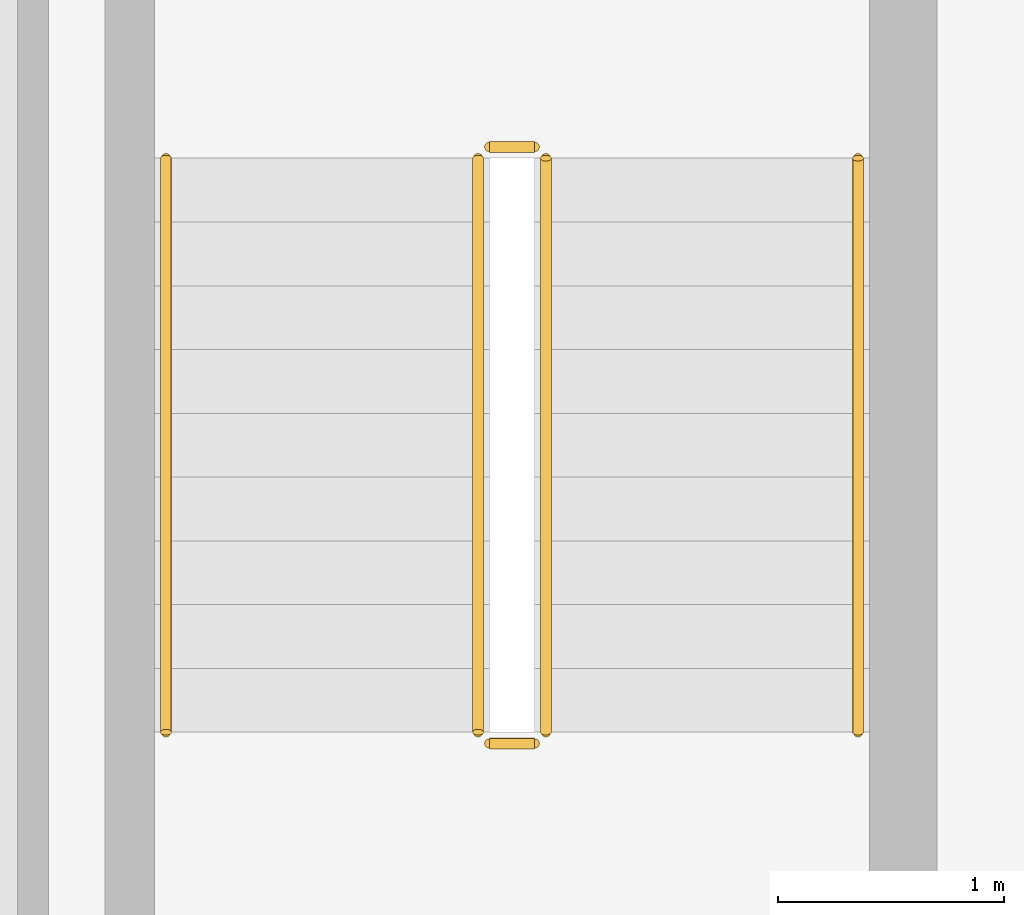
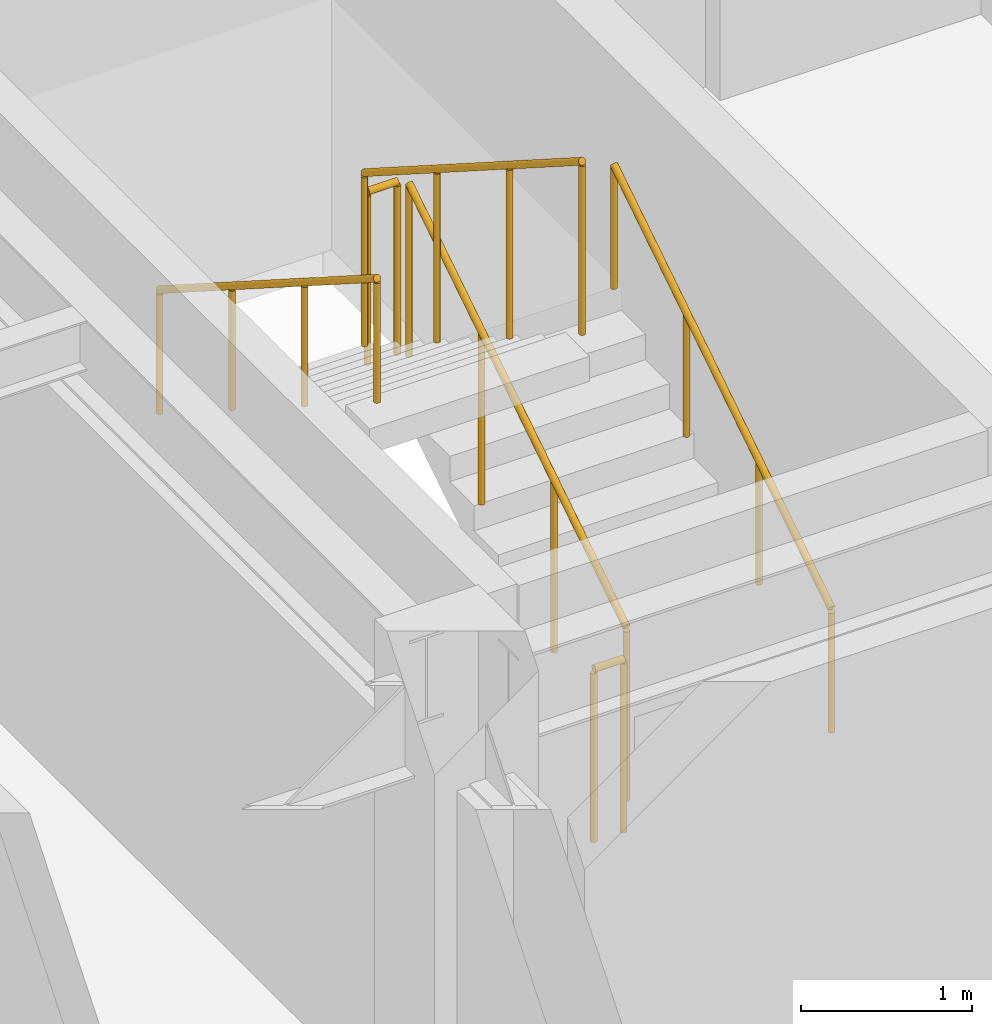
# One storey, part 9 of 10: 6 railings.
"""IFC4 building model written with IfcOpenShell, lengths in metres."""

import ifcopenshell
import ifcopenshell.guid

model = None  # the IFC model being written
_history = None  # IfcOwnerHistory: only IFC2X3 demands one
_inside = {}  # id of a spatial element -> (the spatial element, [elements in it])
_under = {}  # id of a project, library or spatial element -> (it, [spatial elements below it])
_declared = {}  # id of a project -> (the project, [libraries it declares])
_typed = {}  # id of a type object -> (the type object, [elements of that type])
_made_of = {}  # id of a material, layer set ... -> (it, [elements and type objects made of it])


def new_model(schema):
    """Start an empty IFC model of exactly this schema.

    Asked for "IFC4X3", IfcOpenShell would pick the latest addendum, in which some entities
    have other attributes; the version numbers below select the first issue.
    IFC2X3 requires an IfcOwnerHistory on every rooted entity: one is made here for all.
    """
    global model, _history
    if schema == "IFC4X3":
        model = ifcopenshell.file(schema_version=(4, 3, 0, 0))
    else:
        model = ifcopenshell.file(schema=schema)
    _inside.clear()
    _under.clear()
    _declared.clear()
    _typed.clear()
    _made_of.clear()
    _history = None
    if model.schema == "IFC2X3":
        org = make("IfcOrganization", Name="unknown")
        user = make(
            "IfcPersonAndOrganization",
            ThePerson=make("IfcPerson", FamilyName="unknown"),
            TheOrganization=org,
        )
        app = make(
            "IfcApplication",
            ApplicationDeveloper=org,
            Version="unknown",
            ApplicationFullName="unknown",
            ApplicationIdentifier="unknown",
        )
        _history = make(
            "IfcOwnerHistory",
            OwningUser=user,
            OwningApplication=app,
            ChangeAction="ADDED",
            CreationDate=0,
        )
    return model


def make(cls, **values):
    """One entity of the class cls with the attributes given. An attribute that is None is left unset."""
    return model.create_entity(
        cls, **{name: value for name, value in values.items() if value is not None}
    )


def rooted(cls, **values):
    """An entity with a GlobalId (a new one), such as an element, a storey or a relation."""
    return make(cls, GlobalId=ifcopenshell.guid.new(), OwnerHistory=_history, **values)


def si_unit(unit_type, name, prefix=None):
    """IfcSIUnit, for example si_unit("LENGTHUNIT", "METRE", prefix="MILLI")."""
    return make("IfcSIUnit", UnitType=unit_type, Prefix=prefix, Name=name)


def assignment(units):
    """IfcUnitAssignment: the units of a project."""
    return None if units is None else make("IfcUnitAssignment", Units=units)


def point(xyz):
    """IfcCartesianPoint."""
    return None if xyz is None else make("IfcCartesianPoint", Coordinates=xyz)


def direction(xyz):
    """IfcDirection."""
    return None if xyz is None else make("IfcDirection", DirectionRatios=xyz)


def frame(location, z_axis=None, x_axis=None):
    """IfcAxis2Placement3D, a coordinate frame: its origin and axes. An axis left out is left unset."""
    return make(
        "IfcAxis2Placement3D",
        Location=point(location),
        Axis=direction(z_axis),
        RefDirection=direction(x_axis),
    )


def frame_2d(location, x_axis=None):
    """IfcAxis2Placement2D, a coordinate frame in the plane: its origin and x axis."""
    return make(
        "IfcAxis2Placement2D", Location=point(location), RefDirection=direction(x_axis)
    )


def origin():
    """The frame at (0, 0, 0) with its axes left unset."""
    return frame((0.0, 0.0, 0.0))


def origin_2d():
    """The frame at (0, 0) in the plane with its x axis left unset."""
    return frame_2d((0.0, 0.0))


def place(relative_to, where):
    """IfcLocalPlacement: puts the frame where relative to a parent placement (None: the world)."""
    return make(
        "IfcLocalPlacement", PlacementRelTo=relative_to, RelativePlacement=where
    )


def context(
    kind, dimensions, precision=None, world=None, true_north=None, identifier=None
):
    """IfcGeometricRepresentationContext, for example the 3D "Model" context."""
    return make(
        "IfcGeometricRepresentationContext",
        ContextIdentifier=identifier,
        ContextType=kind,
        CoordinateSpaceDimension=dimensions,
        Precision=precision,
        WorldCoordinateSystem=world,
        TrueNorth=true_north,
    )


def subcontext(parent, identifier, kind, view, scale=None):
    """IfcGeometricRepresentationSubContext, for example "Body" below "Model"."""
    return make(
        "IfcGeometricRepresentationSubContext",
        ContextIdentifier=identifier,
        ContextType=kind,
        ParentContext=parent,
        TargetScale=scale,
        TargetView=view,
    )


def project(units=None, contexts=None):
    """IfcProject with its units and contexts."""
    return rooted(
        "IfcProject",
        Name="project",
        RepresentationContexts=contexts,
        UnitsInContext=assignment(units),
    )


def spatial(cls, under=None, at=None, **own):
    """A site, building, storey or space (cls), placed at a placement, below another one or the project."""
    s = rooted(cls, ObjectPlacement=at, **own)
    if under is not None:
        _under.setdefault(under.id(), (under, []))[1].append(s)
    return s


def profile(cls, at=None, kind="AREA", **sizes):
    """A parametric profile (cls). Its sizes go by their IFC names, for example OverallWidth=200.0."""
    return make(cls, ProfileType=kind, Position=at, **sizes)


def circle(**sizes):
    """IfcCircleProfileDef."""
    return profile("IfcCircleProfileDef", **sizes)


def extrude(swept, where, along, depth):
    """IfcExtrudedAreaSolid: the profile swept, set in the frame where, extruded along a direction by depth."""
    return make(
        "IfcExtrudedAreaSolid",
        SweptArea=swept,
        Position=where,
        ExtrudedDirection=direction(along),
        Depth=depth,
    )


def shape(context_of_items, identifier, shape_type, items):
    """IfcShapeRepresentation: the items that make up one representation, for example the "Body"."""
    return make(
        "IfcShapeRepresentation",
        ContextOfItems=context_of_items,
        RepresentationIdentifier=identifier,
        RepresentationType=shape_type,
        Items=items,
    )


def material(Name=None, Category=None):
    """IfcMaterial."""
    return make("IfcMaterial", Name=Name, Category=Category)


def made_of(thing, what):
    """Note that an element or type object is made of a material, layer set ...; save() writes the relation."""
    if what is not None:
        _made_of.setdefault(what.id(), (what, []))[1].append(thing)
    return thing


def type_object(cls, material=None, **own):
    """A type object (cls), such as IfcWallType, which elements share."""
    return made_of(rooted(cls, **own), material)


def element(
    cls,
    number,
    at=None,
    inside=None,
    cuts=None,
    type_object=None,
    material=None,
    context=None,
    identifier="Body",
    shape_type=None,
    held_by="IfcProductDefinitionShape",
    body=None,
    shapes=None,
    **own,
):
    """One element of the class cls, such as IfcWall. Its Tag is "e" and its number.

    at: its placement. inside: the storey or other place that contains it. cuts: it is an
    opening in that element (IfcRelVoidsElement). A single representation is given by context,
    identifier, shape_type and body (its items); several are given by shapes. held_by: the class
    of the entity that holds the representations. save() writes the other relations.
    """
    e = rooted(cls, Tag="e%d" % number, ObjectPlacement=at, **own)
    if body is not None:
        shapes = [shape(context, identifier, shape_type, body)]
    if shapes is not None:
        e.Representation = make(held_by, Representations=shapes)
    if inside is not None:
        _inside.setdefault(inside.id(), (inside, []))[1].append(e)
    if cuts is not None:
        rooted(
            "IfcRelVoidsElement", RelatingBuildingElement=cuts, RelatedOpeningElement=e
        )
    if type_object is not None:
        _typed.setdefault(type_object.id(), (type_object, []))[1].append(e)
    return made_of(e, material)


def aggregate(whole, parts):
    """IfcRelAggregates: a whole, such as a stair, and the parts it consists of."""
    return rooted("IfcRelAggregates", RelatingObject=whole, RelatedObjects=parts)


def save(model, path):
    """Write the relations noted so far, then the file.

    IfcRelAggregates (storeys below a building ...), IfcRelContainedInSpatialStructure (elements
    in a storey), IfcRelDefinesByType, IfcRelAssociatesMaterial and IfcRelDeclares: one each for
    every whole, place, type object, material and project.
    """
    for whole, parts in _under.values():
        aggregate(whole, parts)
    for where, things in _inside.values():
        rooted(
            "IfcRelContainedInSpatialStructure",
            RelatedElements=things,
            RelatingStructure=where,
        )
    for kind, things in _typed.values():
        rooted("IfcRelDefinesByType", RelatedObjects=things, RelatingType=kind)
    for what, things in _made_of.values():
        rooted("IfcRelAssociatesMaterial", RelatedObjects=things, RelatingMaterial=what)
    for by, libraries in _declared.values():
        rooted("IfcRelDeclares", RelatingContext=by, RelatedDefinitions=libraries)
    model.write(path)


model = new_model("IFC4")

# Units and contexts
model_context = context("Model", 3, precision=1e-05, world=origin(), true_north=direction((0.0, 1.0)))
body_context = subcontext(model_context, "Body", "Model", "MODEL_VIEW")
ifc_project = project(units=[si_unit("LENGTHUNIT", "METRE"), si_unit("AREAUNIT", "SQUARE_METRE"), si_unit("VOLUMEUNIT", "CUBIC_METRE"), si_unit("PLANEANGLEUNIT", "RADIAN"), si_unit("MASSUNIT", "GRAM", prefix="KILO")], contexts=[model_context])

# Site, building, storey
site_placement = place(None, origin())
site = spatial("IfcSite", under=ifc_project, at=site_placement, CompositionType="ELEMENT")
building_placement = place(site_placement, origin())
building = spatial("IfcBuilding", under=site, at=building_placement, Name="Ochreholt Gables", CompositionType="ELEMENT")
storey_placement = place(building_placement, frame((0.0, 0.0, 166.199951171875)))
storey = spatial("IfcBuildingStorey", under=building, at=storey_placement, Name="L43", CompositionType="ELEMENT", Elevation=166.199951171875)

# Railings
ifc_material_1 = material(Name="Painted Steel Stair Guardrail", Category="steel")
railing_type_1 = type_object("IfcRailingType", Name="RL-ST-GUARD", PredefinedType="GUARDRAIL", material=ifc_material_1)
railing_1_placement = place(storey_placement, frame((26.64990234375, 32.4599609375, 0.179931640625)))
element("IfcRailing", 1, at=railing_1_placement, inside=storey, type_object=railing_type_1, Name="L43 ST-2 stair guard 1", PredefinedType="GUARDRAIL", context=body_context, shape_type="SweptSolid", body=[
    extrude(circle(Radius=0.02392578125, at=origin_2d()), frame((0.0, 0.0, 1.22607421875), z_axis=(0.0, 0.842912820907, 0.538050161556), x_axis=(-1.0, 0.0, 0.0)), (0.0, 0.0, 1.0), 3.010986328125),
    extrude(circle(Radius=0.02099609375, at=origin_2d()), origin(), (0.0, 0.0, 1.0), 1.201904296875),
    extrude(circle(Radius=0.02099609375, at=origin_2d()), frame((0.0, 0.845947265625, 0.5400390625)), (0.0, 0.0, 1.0), 1.201904296875),
    extrude(circle(Radius=0.02099609375, at=origin_2d()), frame((0.0, 1.692138671875, 1.080078125)), (0.0, 0.0, 1.0), 1.201904296875),
    extrude(circle(Radius=0.02099609375, at=origin_2d()), frame((0.0, 2.5380859375, 1.6201171875)), (0.0, 0.0, 1.0), 1.201904296875),
])
railing_2_placement = place(storey_placement, frame((26.60009765625, 35.048095703125, 1.800048828125)))
element("IfcRailing", 2, at=railing_2_placement, inside=storey, type_object=railing_type_1, Name="L43 ST-2 stair guard 2", PredefinedType="GUARDRAIL", context=body_context, shape_type="SweptSolid", body=[
    extrude(circle(Radius=0.02392578125, at=origin_2d()), frame((0.0, 0.0, 1.22607421875), z_axis=(-1.0, 0.0, 0.0), x_axis=(0.0, -1.0, 0.0)), (0.0, 0.0, 1.0), 0.2001953125),
    extrude(circle(Radius=0.02099609375, at=origin_2d()), origin(), (0.0, 0.0, 1.0), 1.201904296875),
    extrude(circle(Radius=0.02099609375, at=origin_2d()), frame((-0.2001953125, 0.0, 0.0)), (0.0, 0.0, 1.0), 1.201904296875),
])
railing_3_placement = place(storey_placement, frame((26.35009765625, 34.998046875, 1.97998046875)))
element("IfcRailing", 3, at=railing_3_placement, inside=storey, type_object=railing_type_1, Name="L43 ST-2 stair guard 3", PredefinedType="GUARDRAIL", context=body_context, shape_type="SweptSolid", body=[
    extrude(circle(Radius=0.02392578125, at=origin_2d()), frame((0.0, 0.0, 1.22607421875), z_axis=(0.0, -0.842912820907, 0.538050161556), x_axis=(1.0, 0.0, 0.0)), (0.0, 0.0, 1.0), 3.010986328125),
    extrude(circle(Radius=0.02099609375, at=origin_2d()), origin(), (0.0, 0.0, 1.0), 1.201904296875),
    extrude(circle(Radius=0.02099609375, at=origin_2d()), frame((0.0, -0.845947265625, 0.5400390625)), (0.0, 0.0, 1.0), 1.201904296875),
    extrude(circle(Radius=0.02099609375, at=origin_2d()), frame((0.0, -1.692138671875, 1.080078125)), (0.0, 0.0, 1.0), 1.201904296875),
    extrude(circle(Radius=0.02099609375, at=origin_2d()), frame((0.0, -2.5380859375, 1.6201171875)), (0.0, 0.0, 1.0), 1.201904296875),
])
railing_4_placement = place(storey_placement, frame((26.60009765625, 32.409912109375, 0.0)))
element("IfcRailing", 4, at=railing_4_placement, inside=storey, type_object=railing_type_1, Name="L43 ST-2 stair guard 4", PredefinedType="GUARDRAIL", context=body_context, shape_type="SweptSolid", body=[
    extrude(circle(Radius=0.02392578125, at=origin_2d()), frame((0.0, 0.0, 1.22607421875), z_axis=(-1.0, 0.0, 0.0), x_axis=(0.0, -1.0, 0.0)), (0.0, 0.0, 1.0), 0.2001953125),
    extrude(circle(Radius=0.02099609375, at=origin_2d()), origin(), (0.0, 0.0, 1.0), 1.201904296875),
    extrude(circle(Radius=0.02099609375, at=origin_2d()), frame((-0.2001953125, 0.0, 0.0)), (0.0, 0.0, 1.0), 1.201904296875),
])
ifc_material_2 = material(Name="Brushed Stainless Steel Wall Handrail", Category="steel")
railing_type_2 = type_object("IfcRailingType", Name="RL-ST-HAND", PredefinedType="HANDRAIL", material=ifc_material_2)
railing_5_placement = place(storey_placement, frame((28.030029296875, 32.4599609375, 0.179931640625)))
element("IfcRailing", 5, at=railing_5_placement, inside=storey, type_object=railing_type_2, Name="L43 ST-2 stair handrail 1", PredefinedType="HANDRAIL", context=body_context, shape_type="SweptSolid", body=[
    extrude(circle(Radius=0.02392578125, at=origin_2d()), frame((0.0, 0.0, 0.8759765625), z_axis=(0.0, 0.842912820907, 0.538050161556), x_axis=(-1.0, 0.0, 0.0)), (0.0, 0.0, 1.0), 3.010986328125),
    extrude(circle(Radius=0.02099609375, at=origin_2d()), origin(), (0.0, 0.0, 1.0), 0.851806640625),
    extrude(circle(Radius=0.02099609375, at=origin_2d()), frame((0.0, 0.845947265625, 0.5400390625)), (0.0, 0.0, 1.0), 0.851806640625),
    extrude(circle(Radius=0.02099609375, at=origin_2d()), frame((0.0, 1.692138671875, 1.080078125)), (0.0, 0.0, 1.0), 0.851806640625),
    extrude(circle(Radius=0.02099609375, at=origin_2d()), frame((0.0, 2.5380859375, 1.6201171875)), (0.0, 0.0, 1.0), 0.851806640625),
])
railing_6_placement = place(storey_placement, frame((24.969970703125, 34.998046875, 1.97998046875)))
element("IfcRailing", 6, at=railing_6_placement, inside=storey, type_object=railing_type_2, Name="L43 ST-2 stair handrail 2", PredefinedType="HANDRAIL", context=body_context, shape_type="SweptSolid", body=[
    extrude(circle(Radius=0.02392578125, at=origin_2d()), frame((0.0, 0.0, 0.8759765625), z_axis=(0.0, -0.842912820907, 0.538050161556), x_axis=(1.0, 0.0, 0.0)), (0.0, 0.0, 1.0), 3.010986328125),
    extrude(circle(Radius=0.02099609375, at=origin_2d()), origin(), (0.0, 0.0, 1.0), 0.851806640625),
    extrude(circle(Radius=0.02099609375, at=origin_2d()), frame((0.0, -0.845947265625, 0.5400390625)), (0.0, 0.0, 1.0), 0.851806640625),
    extrude(circle(Radius=0.02099609375, at=origin_2d()), frame((0.0, -1.692138671875, 1.080078125)), (0.0, 0.0, 1.0), 0.851806640625),
    extrude(circle(Radius=0.02099609375, at=origin_2d()), frame((0.0, -2.5380859375, 1.6201171875)), (0.0, 0.0, 1.0), 0.851806640625),
])

save(model, "model.ifc")
